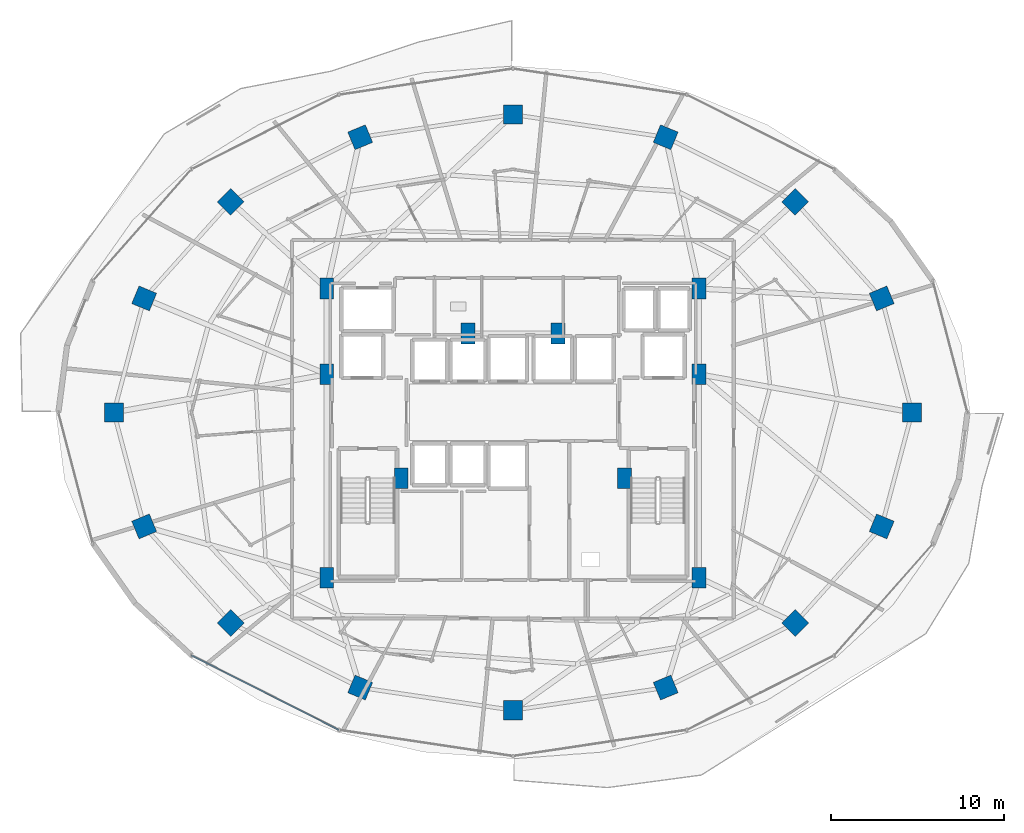
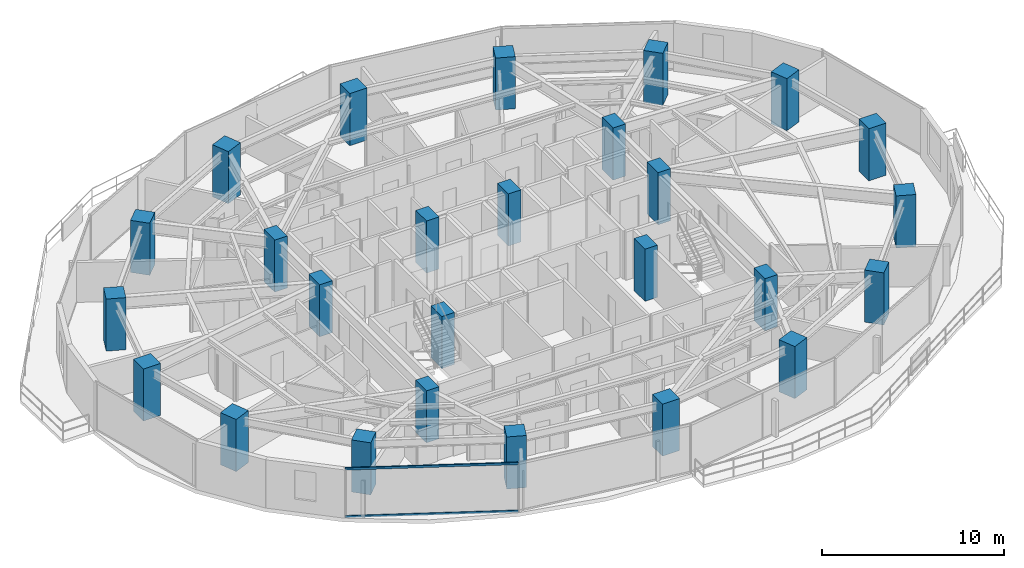
# One storey, part 1 of 29: 26 columns, 2 members, 1 element without a shape of its own.
"""IFC4 building model written with IfcOpenShell, lengths in metres."""

from ifc_helpers import new_model, si_unit, direction, frame, origin, origin_2d, place, context, subcontext, project, spatial, rectangle, hollow_rectangle, extrude, material, material_profile, profile_set, type_object, element, aggregate, save


model = new_model("IFC4")

# Units and contexts
model_context = context("Model", 3, precision=1e-05, world=origin(), true_north=direction((0.0, 1.0)))
body_context = subcontext(model_context, "Body", "Model", "MODEL_VIEW")
ifc_project = project(units=[si_unit("LENGTHUNIT", "METRE"), si_unit("AREAUNIT", "SQUARE_METRE"), si_unit("VOLUMEUNIT", "CUBIC_METRE"), si_unit("PLANEANGLEUNIT", "RADIAN"), si_unit("MASSUNIT", "GRAM", prefix="KILO")], contexts=[model_context])

# Site, building, storey
site_placement = place(None, origin())
site = spatial("IfcSite", under=ifc_project, at=site_placement, CompositionType="ELEMENT")
building_placement = place(site_placement, origin())
building = spatial("IfcBuilding", under=site, at=building_placement, Name="Vorneva Point Tower", CompositionType="ELEMENT")
storey_placement = place(building_placement, frame((0.0, 0.0, 113.800048828125)))
storey = spatial("IfcBuildingStorey", under=building, at=storey_placement, Name="L30", CompositionType="ELEMENT", Elevation=113.800048828125)

# Columns
ifc_material_1 = material(Name="Concrete B60 (C50/60)", Category="concrete")
ifc_material_profile_1 = material_profile(ifc_material_1, rectangle(XDim=1.10009765625, YDim=1.10009765625, at=origin_2d()), Name="RC-COL 1100x1100")
ifc_profile_set_1 = profile_set([ifc_material_profile_1], Name="Concrete B60 (C50/60)")
column_type_1 = type_object("IfcColumnType", Name="COL-RC1100", PredefinedType="COLUMN", material=ifc_profile_set_1)
for number, where, z_axis, x_axis, name in (
    (1, (61.050048828125, 26.0, 0.0), (0.0, 0.0, 1.0), (1.0, 0.0, 0.0), "L30 Perimeter Column P01"),
    (2, (59.29541015625, 32.582275390625, 0.0), (0.0, 0.0, 1.0), (0.923879532511, 0.382683432365, 0.0), "L30 Perimeter Column P02"),
    (3, (54.298828125, 38.162109375, 0.0), (0.0, 0.0, 1.0), (0.707106781187, 0.707106781187, 0.0), "L30 Perimeter Column P03"),
    (4, (46.82080078125, 41.890625, 0.0), (0.0, 0.0, 1.0), (0.382683432365, 0.923879532511, 0.0), "L30 Perimeter Column P04"),
    (5, (38.0, 43.199951171875, 0.0), (0.0, 0.0, 1.0), (0.0, 1.0, 0.0), "L30 Perimeter Column P05"),
    (6, (29.17919921875, 41.890625, 0.0), (0.0, 0.0, 1.0), (-0.382683432365, 0.923879532511, 0.0), "L30 Perimeter Column P06"),
    (7, (21.701171875, 38.162109375, 0.0), (0.0, 0.0, 1.0), (-0.707106781187, 0.707106781187, 0.0), "L30 Perimeter Column P07"),
    (8, (16.70458984375, 32.582275390625, 0.0), (0.0, 0.0, 1.0), (-0.923879532511, 0.382683432365, 0.0), "L30 Perimeter Column P08"),
    (9, (14.949951171875, 26.0, 0.0), (0.0, 0.0, 1.0), (-1.0, 0.0, 0.0), "L30 Perimeter Column P09"),
    (10, (16.70458984375, 19.417724609375, 0.0), (0.0, 0.0, 1.0), (-0.923879532511, -0.382683432365, 0.0), "L30 Perimeter Column P10"),
    (11, (21.701171875, 13.837890625, 0.0), (0.0, 0.0, 1.0), (-0.707106781187, -0.707106781187, 0.0), "L30 Perimeter Column P11"),
    (12, (29.17919921875, 10.109375, 0.0), (0.0, 0.0, 1.0), (-0.382683432365, -0.923879532511, 0.0), "L30 Perimeter Column P12"),
    (13, (38.0, 8.800048828125, 0.0), (0.0, 0.0, 1.0), (0.0, -1.0, 0.0), "L30 Perimeter Column P13"),
    (14, (46.82080078125, 10.109375, 0.0), (0.0, 0.0, 1.0), (0.382683432365, -0.923879532511, 0.0), "L30 Perimeter Column P14"),
    (15, (54.298828125, 13.837890625, 0.0), (0.0, 0.0, 1.0), (0.707106781187, -0.707106781187, 0.0), "L30 Perimeter Column P15"),
    (16, (59.29541015625, 19.417724609375, 0.0), (0.0, 0.0, 1.0), (0.923879532511, -0.382683432365, 0.0), "L30 Perimeter Column P16"),
):
    element("IfcColumn", number, at=place(storey_placement, frame(where, z_axis=z_axis, x_axis=x_axis)), inside=storey, type_object=column_type_1, Name=name, PredefinedType="COLUMN", context=body_context, shape_type="SweptSolid", body=[
        extrude(rectangle(XDim=1.10009765625, YDim=1.10009765625, at=origin_2d()), origin(), (0.0, 0.0, 1.0), 3.5),
    ])
ifc_material_profile_2 = material_profile(ifc_material_1, rectangle(XDim=0.800048828125, YDim=1.199951171875, at=origin_2d()), Name="RC-PIL 1200x800")
ifc_profile_set_2 = profile_set([ifc_material_profile_2], Name="Concrete B60 (C50/60)")
column_type_2 = type_object("IfcColumnType", Name="PIL-RC1200x800", PredefinedType="PILASTER", material=ifc_profile_set_2)
for number, where, z_axis, x_axis, name in (
    (17, (27.25, 16.449951171875, 0.0), (0.0, 0.0, 1.0), (1.0, 0.0, 0.0), "L30 Core Pilaster CP1"),
    (18, (27.25, 28.199951171875, 0.0), (0.0, 0.0, 1.0), (1.0, 0.0, 0.0), "L30 Core Pilaster CP2"),
    (19, (27.25, 33.14990234375, 0.0), (0.0, 0.0, 1.0), (1.0, 0.0, 0.0), "L30 Core Pilaster CP3"),
    (20, (31.550048828125, 22.199951171875, 0.0), (0.0, 0.0, 1.0), (1.0, 0.0, 0.0), "L30 Core Pilaster CP4"),
    (21, (48.75, 33.14990234375, 0.0), (0.0, 0.0, 1.0), (1.0, 0.0, 0.0), "L30 Core Pilaster CP5"),
    (22, (48.75, 28.199951171875, 0.0), (0.0, 0.0, 1.0), (1.0, 0.0, 0.0), "L30 Core Pilaster CP6"),
    (23, (48.75, 16.449951171875, 0.0), (0.0, 0.0, 1.0), (1.0, 0.0, 0.0), "L30 Core Pilaster CP7"),
    (24, (44.449951171875, 22.199951171875, 0.0), (0.0, 0.0, 1.0), (1.0, 0.0, 0.0), "L30 Core Pilaster CP8"),
    (25, (35.39990234375, 30.550048828125, 0.0), (0.0, 0.0, 1.0), (1.0, 0.0, 0.0), "L30 Core Pilaster CP9"),
    (26, (40.60009765625, 30.550048828125, 0.0), (0.0, 0.0, 1.0), (1.0, 0.0, 0.0), "L30 Core Pilaster CP10"),
):
    element("IfcColumn", number, at=place(storey_placement, frame(where, z_axis=z_axis, x_axis=x_axis)), inside=storey, type_object=column_type_2, Name=name, PredefinedType="PILASTER", context=body_context, shape_type="SweptSolid", body=[
        extrude(rectangle(XDim=0.800048828125, YDim=1.199951171875, at=origin_2d()), origin(), (0.0, 0.0, 1.0), 3.5),
    ])

# Curtain wall, members
ifc_material_2 = material(Name="Pale anodised aluminium", Category="aluminium")
curtain_wall_type = type_object("IfcCurtainWallType", Name="CW-HTL-SYS", PredefinedType="NOTDEFINED", material=ifc_material_2)
curtain_wall_placement = place(storey_placement, origin())
curtain_wall = element("IfcCurtainWall", 27, at=curtain_wall_placement, inside=storey, type_object=curtain_wall_type, Name="L30 Unitised Curtain Wall CW-L30-R04", PredefinedType="NOTDEFINED")
ifc_material_profile_3 = material_profile(ifc_material_2, hollow_rectangle(XDim=0.074951171875, YDim=0.14990234375, WallThickness=0.00390625, at=origin_2d()), Name="AL-TRN 150x75x4")
ifc_profile_set_3 = profile_set([ifc_material_profile_3], Name="Pale anodised aluminium")
member_type = type_object("IfcMemberType", Name="CW-TRN-150", PredefinedType="USERDEFINED", material=ifc_profile_set_3)
member_1_placement = place(storey_placement, frame((19.4384765625, 11.9638671875, 0.02001953125), z_axis=(0.892536035732, -0.450976080207, 0.0), x_axis=(0.450976080207, 0.892536035732, 0.0)))
member_1 = element("IfcMember", 28, at=member_1_placement, type_object=member_type, Name="CW-L30-R04 Transom 01.1", ObjectType="TRANSOM", PredefinedType="USERDEFINED", context=body_context, shape_type="SweptSolid", body=[
    extrude(hollow_rectangle(XDim=0.074951171875, YDim=0.14990234375, WallThickness=0.00390625, at=origin_2d()), origin(), (0.0, 0.0, 1.0), 9.54150390625),
])
member_2_placement = place(storey_placement, frame((19.4384765625, 11.9638671875, 3.219970703125), z_axis=(0.892536035732, -0.450976080207, 0.0), x_axis=(0.450976080207, 0.892536035732, 0.0)))
member_2 = element("IfcMember", 29, at=member_2_placement, type_object=member_type, Name="CW-L30-R04 Transom 01.2", ObjectType="TRANSOM", PredefinedType="USERDEFINED", context=body_context, shape_type="SweptSolid", body=[
    extrude(hollow_rectangle(XDim=0.074951171875, YDim=0.14990234375, WallThickness=0.00390625, at=origin_2d()), origin(), (0.0, 0.0, 1.0), 9.54150390625),
])
aggregate(curtain_wall, [member_1, member_2])

save(model, "model.ifc")
